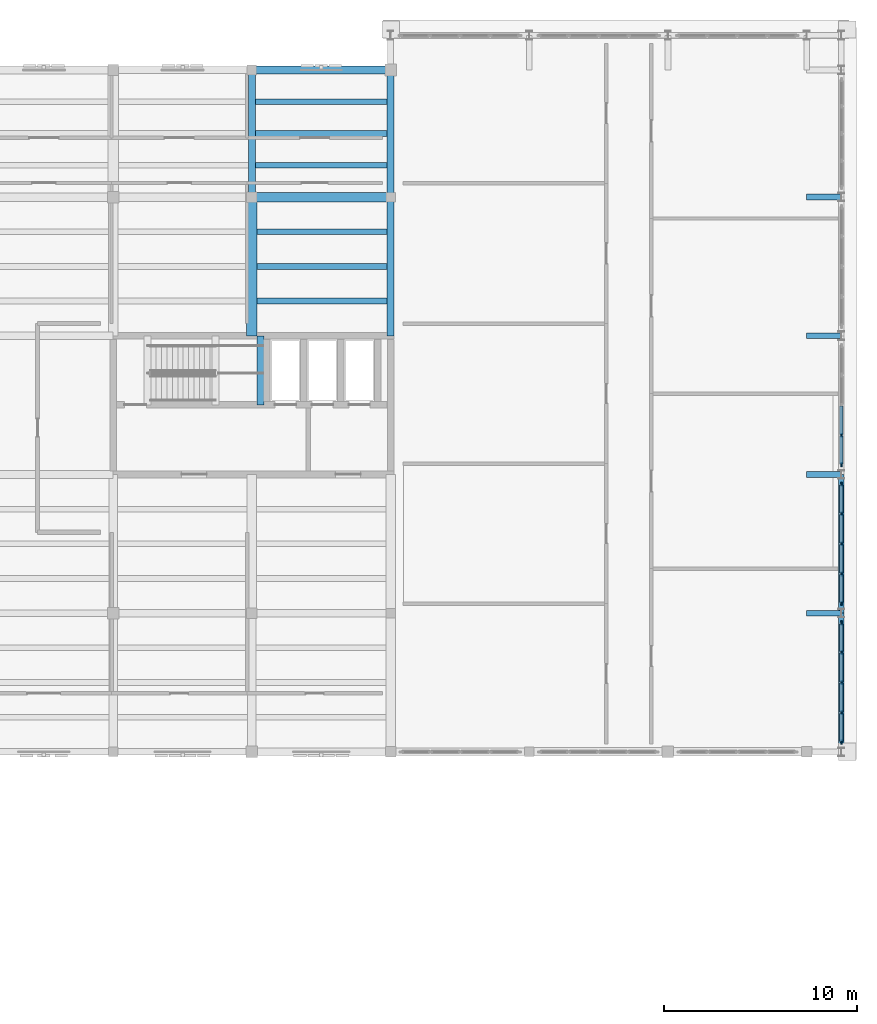
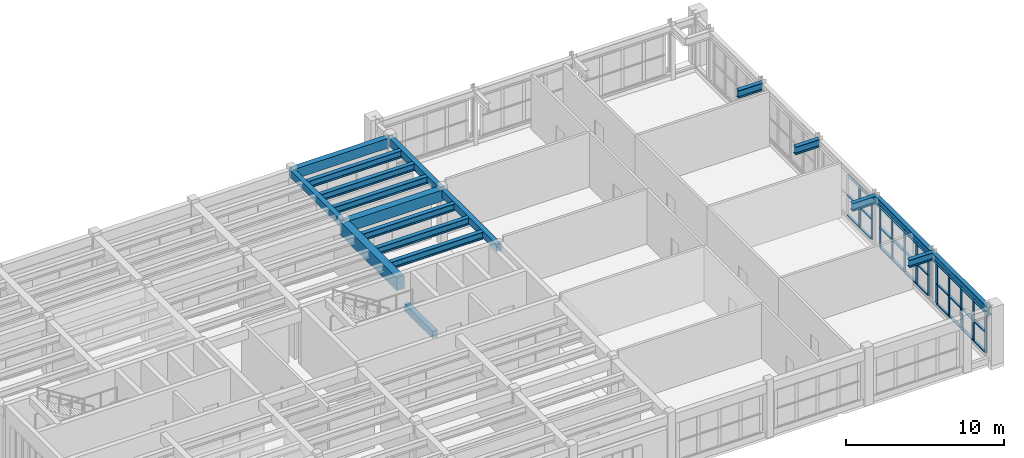
# One storey, part 5 of 18: 42 members, 19 beams, 3 elements without a shape of their own.
"""IFC4 building model written with IfcOpenShell, lengths in metres."""

from ifc_helpers import new_model, si_unit, direction, frame, origin, origin_2d, place, context, subcontext, project, spatial, rectangle, i_section, extrude, material, material_profile, profile_set, type_object, element, aggregate, save


model = new_model("IFC4")

# Units and contexts
model_context = context("Model", 3, precision=1e-05, world=origin(), true_north=direction((0.0, 1.0)))
body_context = subcontext(model_context, "Body", "Model", "MODEL_VIEW")
ifc_project = project(units=[si_unit("LENGTHUNIT", "METRE"), si_unit("AREAUNIT", "SQUARE_METRE"), si_unit("VOLUMEUNIT", "CUBIC_METRE"), si_unit("PLANEANGLEUNIT", "RADIAN"), si_unit("MASSUNIT", "GRAM", prefix="KILO")], contexts=[model_context])

# Site, building, storey
site_placement = place(None, origin())
site = spatial("IfcSite", under=ifc_project, at=site_placement, CompositionType="ELEMENT")
building_placement = place(site_placement, origin())
building = spatial("IfcBuilding", under=site, at=building_placement, Name="Mithqara Police Headquarters", CompositionType="ELEMENT")
storey_placement = place(building_placement, frame((0.0, 0.0, 26.39990234375)))
storey = spatial("IfcBuildingStorey", under=building, at=storey_placement, Name="L06", CompositionType="ELEMENT", Elevation=26.39990234375)

# Beams
ifc_material_1 = material(Name="Steel S355JR", Category="steel")
ifc_material_profile_1 = material_profile(ifc_material_1, i_section(OverallWidth=0.300048828125, OverallDepth=0.550048828125, WebThickness=0.014892578125, FlangeThickness=0.029052734375, FilletRadius=0.027099609375, at=origin_2d()), Name="HEB 550")
ifc_profile_set_1 = profile_set([ifc_material_profile_1], Name="Steel S355JR")
beam_type_1 = type_object("IfcBeamType", Name="BEAM HEB550", PredefinedType="BEAM", material=ifc_profile_set_1)
for number, where, z_axis, x_axis, name in (
    (1, (137.675048828125, 102.0, 3.945068359375), (1.0, 0.0, 0.0), (0.0, 1.0, 0.0), "L06 Composite Steel Joist 20-21/Q.1"),
    (2, (137.675048828125, 103.800048828125, 3.945068359375), (1.0, 0.0, 0.0), (0.0, 1.0, 0.0), "L06 Composite Steel Joist 20-21/Q.2"),
    (3, (137.675048828125, 105.60009765625, 3.945068359375), (1.0, 0.0, 0.0), (0.0, 1.0, 0.0), "L06 Composite Steel Joist 20-21/Q.3"),
):
    element("IfcBeam", number, at=place(storey_placement, frame(where, z_axis=z_axis, x_axis=x_axis)), inside=storey, type_object=beam_type_1, Name=name, PredefinedType="BEAM", context=body_context, shape_type="SweptSolid", body=[
        extrude(i_section(OverallWidth=0.300048828125, OverallDepth=0.550048828125, WebThickness=0.014892578125, FlangeThickness=0.029052734375, FilletRadius=0.027099609375, at=origin_2d()), origin(), (0.0, 0.0, 1.0), 6.75),
    ])
for number, where, z_axis, x_axis, name in (
    (4, (137.574951171875, 109.050048828125, 3.945068359375), (1.0, 0.0, 0.0), (0.0, 1.0, 0.0), "L06 Composite Steel Joist 20-21/R.1"),
    (5, (137.574951171875, 110.699951171875, 3.945068359375), (1.0, 0.0, 0.0), (0.0, 1.0, 0.0), "L06 Composite Steel Joist 20-21/R.2"),
    (6, (137.574951171875, 112.35009765625, 3.945068359375), (1.0, 0.0, 0.0), (0.0, 1.0, 0.0), "L06 Composite Steel Joist 20-21/R.3"),
):
    element("IfcBeam", number, at=place(storey_placement, frame(where, z_axis=z_axis, x_axis=x_axis)), inside=storey, type_object=beam_type_1, Name=name, PredefinedType="BEAM", context=body_context, shape_type="SweptSolid", body=[
        extrude(i_section(OverallWidth=0.300048828125, OverallDepth=0.550048828125, WebThickness=0.014892578125, FlangeThickness=0.029052734375, FilletRadius=0.027099609375, at=origin_2d()), origin(), (0.0, 0.0, 1.0), 6.85009765625),
    ])
ifc_material_2 = material(Name="Concrete C40/50", Category="concrete")
ifc_material_profile_2 = material_profile(ifc_material_2, rectangle(XDim=0.35009765625, YDim=0.550048828125, at=origin_2d()), Name="RC 350x550")
ifc_profile_set_2 = profile_set([ifc_material_profile_2], Name="Concrete C40/50")
beam_type_2 = type_object("IfcBeamType", Name="BEAM RC350X550", PredefinedType="BEAM", material=ifc_profile_set_2)
beam_1_placement = place(storey_placement, frame((137.39990234375, 107.39990234375, 3.945068359375), z_axis=(0.0, 1.0, 0.0), x_axis=(-1.0, 0.0, 0.0)))
element("IfcBeam", 7, at=beam_1_placement, inside=storey, type_object=beam_type_2, Name="L06 Girder 20/R-S", PredefinedType="BEAM", context=body_context, shape_type="SweptSolid", body=[
    extrude(rectangle(XDim=0.35009765625, YDim=0.550048828125, at=origin_2d()), origin(), (0.0, 0.0, 1.0), 6.60009765625),
])
beam_2_placement = place(storey_placement, frame((144.60009765625, 100.199951171875, 3.945068359375), z_axis=(0.0, 1.0, 0.0), x_axis=(-1.0, 0.0, 0.0)))
element("IfcBeam", 8, at=beam_2_placement, inside=storey, type_object=beam_type_2, Name="L06 Girder 21/Q-R", PredefinedType="BEAM", context=body_context, shape_type="SweptSolid", body=[
    extrude(rectangle(XDim=0.35009765625, YDim=0.550048828125, at=origin_2d()), origin(), (0.0, 0.0, 1.0), 7.199951171875),
])
beam_3_placement = place(storey_placement, frame((137.85009765625, 96.6201171875, 1.78515625), z_axis=(0.0, 1.0, 0.0), x_axis=(-1.0, 0.0, 0.0)))
element("IfcBeam", 9, at=beam_3_placement, inside=storey, type_object=beam_type_2, Name="L06 ST-02 Half-Landing Bearer LB", PredefinedType="BEAM", context=body_context, shape_type="SweptSolid", body=[
    extrude(rectangle(XDim=0.35009765625, YDim=0.550048828125, at=origin_2d()), origin(), (0.0, 0.0, 1.0), 3.579833984375),
])
ifc_material_profile_3 = material_profile(ifc_material_2, rectangle(XDim=0.35009765625, YDim=0.60009765625, at=origin_2d()), Name="RC 350x600")
ifc_profile_set_3 = profile_set([ifc_material_profile_3], Name="Concrete C40/50")
beam_type_3 = type_object("IfcBeamType", Name="BEAM RC350X600", PredefinedType="BEAM", material=ifc_profile_set_3)
beam_4_placement = place(storey_placement, frame((144.60009765625, 107.39990234375, 3.920166015625), z_axis=(0.0, 1.0, 0.0), x_axis=(-1.0, 0.0, 0.0)))
element("IfcBeam", 10, at=beam_4_placement, inside=storey, type_object=beam_type_3, Name="L06 Girder 21/R-S", PredefinedType="BEAM", context=body_context, shape_type="SweptSolid", body=[
    extrude(rectangle(XDim=0.35009765625, YDim=0.60009765625, at=origin_2d()), origin(), (0.0, 0.0, 1.0), 6.60009765625),
])
ifc_material_profile_4 = material_profile(ifc_material_2, rectangle(XDim=0.5, YDim=0.85009765625, at=origin_2d()), Name="RC 500x850")
ifc_profile_set_4 = profile_set([ifc_material_profile_4], Name="Concrete C40/50")
beam_type_4 = type_object("IfcBeamType", Name="BEAM RC500X850", PredefinedType="BEAM", material=ifc_profile_set_4)
beam_5_placement = place(storey_placement, frame((137.39990234375, 107.39990234375, 3.795166015625), z_axis=(1.0, 0.0, 0.0), x_axis=(0.0, 1.0, 0.0)))
element("IfcBeam", 11, at=beam_5_placement, inside=storey, type_object=beam_type_4, Name="L06 Girder 20-21/R", PredefinedType="BEAM", context=body_context, shape_type="SweptSolid", body=[
    extrude(rectangle(XDim=0.5, YDim=0.85009765625, at=origin_2d()), origin(), (0.0, 0.0, 1.0), 7.2001953125),
])
ifc_material_3 = material(Name="Concrete C50/60", Category="concrete")
ifc_material_profile_5 = material_profile(ifc_material_3, rectangle(XDim=0.550048828125, YDim=1.0, at=origin_2d()), Name="RC 550x1000")
ifc_profile_set_5 = profile_set([ifc_material_profile_5], Name="Concrete C50/60")
beam_type_5 = type_object("IfcBeamType", Name="BEAM RC550X1000", PredefinedType="BEAM", material=ifc_profile_set_5)
beam_6_placement = place(storey_placement, frame((137.39990234375, 100.199951171875, 3.72021484375), z_axis=(0.0, 1.0, 0.0), x_axis=(-1.0, 0.0, 0.0)))
element("IfcBeam", 12, at=beam_6_placement, inside=storey, type_object=beam_type_5, Name="L06 Girder 20/Q-R", PredefinedType="BEAM", context=body_context, shape_type="SweptSolid", body=[
    extrude(rectangle(XDim=0.550048828125, YDim=1.0, at=origin_2d()), origin(), (0.0, 0.0, 1.0), 7.199951171875),
])

# Curtain wall, members
ifc_material_4 = material(Name="Bronze anodised aluminium 6063-T6", Category="aluminium")
curtain_wall_type = type_object("IfcCurtainWallType", Name="CURTAIN WALL 6250X3170", PredefinedType="USERDEFINED", material=ifc_material_4)
curtain_wall_1_placement = place(storey_placement, origin())
curtain_wall_1 = element("IfcCurtainWall", 13, at=curtain_wall_1_placement, inside=storey, type_object=curtain_wall_type, Name="L06 Unitised Glazing CW-04 (CW-CUBE-L06-P0-E02-S0-00)", ObjectType="UNITISED GLAZING", PredefinedType="USERDEFINED")
ifc_material_profile_6 = material_profile(ifc_material_4, rectangle(XDim=0.074951171875, YDim=0.219970703125, at=origin_2d()), Name="CWM 75x220")
ifc_profile_set_6 = profile_set([ifc_material_profile_6], Name="Bronze anodised aluminium 6063-T6")
member_type_1 = type_object("IfcMemberType", Name="CWMULLION 75X220", PredefinedType="MULLION", material=ifc_profile_set_6)
member_1_placement = place(storey_placement, frame((168.0, 79.112548828125, 0.4501953125), z_axis=(0.0, 0.0, 1.0), x_axis=(-1.0, 0.0, 0.0)))
member_1 = element("IfcMember", 14, at=member_1_placement, type_object=member_type_1, Name="CW-04 mullion 1", PredefinedType="MULLION", context=body_context, shape_type="SweptSolid", body=[
    extrude(rectangle(XDim=0.074951171875, YDim=0.219970703125, at=origin_2d()), origin(), (0.0, 0.0, 1.0), 3.169921875),
])
member_2_placement = place(storey_placement, frame((168.0, 80.637451171875, 0.4501953125), z_axis=(0.0, 0.0, 1.0), x_axis=(-1.0, 0.0, 0.0)))
member_2 = element("IfcMember", 15, at=member_2_placement, type_object=member_type_1, Name="CW-04 mullion 2", PredefinedType="MULLION", context=body_context, shape_type="SweptSolid", body=[
    extrude(rectangle(XDim=0.074951171875, YDim=0.219970703125, at=origin_2d()), origin(), (0.0, 0.0, 1.0), 3.169921875),
])
member_3_placement = place(storey_placement, frame((168.0, 82.199951171875, 0.4501953125), z_axis=(0.0, 0.0, 1.0), x_axis=(-1.0, 0.0, 0.0)))
member_3 = element("IfcMember", 16, at=member_3_placement, type_object=member_type_1, Name="CW-04 mullion 3", PredefinedType="MULLION", context=body_context, shape_type="SweptSolid", body=[
    extrude(rectangle(XDim=0.074951171875, YDim=0.219970703125, at=origin_2d()), origin(), (0.0, 0.0, 1.0), 3.169921875),
])
member_4_placement = place(storey_placement, frame((168.0, 83.762451171875, 0.4501953125), z_axis=(0.0, 0.0, 1.0), x_axis=(-1.0, 0.0, 0.0)))
member_4 = element("IfcMember", 17, at=member_4_placement, type_object=member_type_1, Name="CW-04 mullion 4", PredefinedType="MULLION", context=body_context, shape_type="SweptSolid", body=[
    extrude(rectangle(XDim=0.074951171875, YDim=0.219970703125, at=origin_2d()), origin(), (0.0, 0.0, 1.0), 3.169921875),
])
member_5_placement = place(storey_placement, frame((168.0, 85.28759765625, 0.4501953125), z_axis=(0.0, 0.0, 1.0), x_axis=(-1.0, 0.0, 0.0)))
member_5 = element("IfcMember", 18, at=member_5_placement, type_object=member_type_1, Name="CW-04 mullion 5", PredefinedType="MULLION", context=body_context, shape_type="SweptSolid", body=[
    extrude(rectangle(XDim=0.074951171875, YDim=0.219970703125, at=origin_2d()), origin(), (0.0, 0.0, 1.0), 3.169921875),
])

curtain_wall_2_placement = place(storey_placement, origin())
curtain_wall_2 = element("IfcCurtainWall", 19, at=curtain_wall_2_placement, inside=storey, type_object=curtain_wall_type, Name="L06 Unitised Glazing CW-04 (CW-CUBE-L06-P0-E02-S0-01)", ObjectType="UNITISED GLAZING", PredefinedType="USERDEFINED")
member_6_placement = place(storey_placement, frame((168.0, 86.3125, 0.4501953125), z_axis=(0.0, 0.0, 1.0), x_axis=(-1.0, 0.0, 0.0)))
member_6 = element("IfcMember", 20, at=member_6_placement, type_object=member_type_1, Name="CW-04 mullion 1", PredefinedType="MULLION", context=body_context, shape_type="SweptSolid", body=[
    extrude(rectangle(XDim=0.074951171875, YDim=0.219970703125, at=origin_2d()), origin(), (0.0, 0.0, 1.0), 3.169921875),
])
member_7_placement = place(storey_placement, frame((168.0, 87.83740234375, 0.4501953125), z_axis=(0.0, 0.0, 1.0), x_axis=(-1.0, 0.0, 0.0)))
member_7 = element("IfcMember", 21, at=member_7_placement, type_object=member_type_1, Name="CW-04 mullion 2", PredefinedType="MULLION", context=body_context, shape_type="SweptSolid", body=[
    extrude(rectangle(XDim=0.074951171875, YDim=0.219970703125, at=origin_2d()), origin(), (0.0, 0.0, 1.0), 3.169921875),
])
member_8_placement = place(storey_placement, frame((168.0, 89.39990234375, 0.4501953125), z_axis=(0.0, 0.0, 1.0), x_axis=(-1.0, 0.0, 0.0)))
member_8 = element("IfcMember", 22, at=member_8_placement, type_object=member_type_1, Name="CW-04 mullion 3", PredefinedType="MULLION", context=body_context, shape_type="SweptSolid", body=[
    extrude(rectangle(XDim=0.074951171875, YDim=0.219970703125, at=origin_2d()), origin(), (0.0, 0.0, 1.0), 3.169921875),
])
member_9_placement = place(storey_placement, frame((168.0, 90.96240234375, 0.4501953125), z_axis=(0.0, 0.0, 1.0), x_axis=(-1.0, 0.0, 0.0)))
member_9 = element("IfcMember", 23, at=member_9_placement, type_object=member_type_1, Name="CW-04 mullion 4", PredefinedType="MULLION", context=body_context, shape_type="SweptSolid", body=[
    extrude(rectangle(XDim=0.074951171875, YDim=0.219970703125, at=origin_2d()), origin(), (0.0, 0.0, 1.0), 3.169921875),
])
member_10_placement = place(storey_placement, frame((168.0, 92.487548828125, 0.4501953125), z_axis=(0.0, 0.0, 1.0), x_axis=(-1.0, 0.0, 0.0)))
member_10 = element("IfcMember", 24, at=member_10_placement, type_object=member_type_1, Name="CW-04 mullion 5", PredefinedType="MULLION", context=body_context, shape_type="SweptSolid", body=[
    extrude(rectangle(XDim=0.074951171875, YDim=0.219970703125, at=origin_2d()), origin(), (0.0, 0.0, 1.0), 3.169921875),
])

curtain_wall_3_placement = place(storey_placement, origin())
curtain_wall_3 = element("IfcCurtainWall", 25, at=curtain_wall_3_placement, inside=storey, type_object=curtain_wall_type, Name="L06 Unitised Glazing CW-04 (CW-CUBE-L06-P0-E02-S0-02)", ObjectType="UNITISED GLAZING", PredefinedType="USERDEFINED")
member_11_placement = place(storey_placement, frame((168.0, 93.512451171875, 0.4501953125), z_axis=(0.0, 0.0, 1.0), x_axis=(-1.0, 0.0, 0.0)))
member_11 = element("IfcMember", 26, at=member_11_placement, type_object=member_type_1, Name="CW-04 mullion 1", PredefinedType="MULLION", context=body_context, shape_type="SweptSolid", body=[
    extrude(rectangle(XDim=0.074951171875, YDim=0.219970703125, at=origin_2d()), origin(), (0.0, 0.0, 1.0), 3.169921875),
])
member_12_placement = place(storey_placement, frame((168.0, 95.03759765625, 0.4501953125), z_axis=(0.0, 0.0, 1.0), x_axis=(-1.0, 0.0, 0.0)))
member_12 = element("IfcMember", 27, at=member_12_placement, type_object=member_type_1, Name="CW-04 mullion 2", PredefinedType="MULLION", context=body_context, shape_type="SweptSolid", body=[
    extrude(rectangle(XDim=0.074951171875, YDim=0.219970703125, at=origin_2d()), origin(), (0.0, 0.0, 1.0), 3.169921875),
])

# Member
ifc_material_profile_7 = material_profile(ifc_material_4, rectangle(XDim=0.179931640625, YDim=0.074951171875, at=origin_2d()), Name="CWT 180x75")
ifc_profile_set_7 = profile_set([ifc_material_profile_7], Name="Bronze anodised aluminium 6063-T6")
member_type_2 = type_object("IfcMemberType", Name="CWTRANSOM 180X75", PredefinedType="USERDEFINED", material=ifc_profile_set_7)
member_13_placement = place(storey_placement, frame((168.0, 79.14990234375, 0.487548828125), z_axis=(0.0, 1.0, 0.0), x_axis=(-1.0, 0.0, 0.0)))
member_13 = element("IfcMember", 28, at=member_13_placement, type_object=member_type_2, Name="CW-04 transom 1.1", ObjectType="TRANSOM", PredefinedType="USERDEFINED", context=body_context, shape_type="SweptSolid", body=[
    extrude(rectangle(XDim=0.179931640625, YDim=0.074951171875, at=origin_2d()), origin(), (0.0, 0.0, 1.0), 1.4501953125),
])

member_14_placement = place(storey_placement, frame((168.0, 79.14990234375, 2.03515625), z_axis=(0.0, 1.0, 0.0), x_axis=(-1.0, 0.0, 0.0)))
member_14 = element("IfcMember", 29, at=member_14_placement, type_object=member_type_2, Name="CW-04 transom 1.2", ObjectType="TRANSOM", PredefinedType="USERDEFINED", context=body_context, shape_type="SweptSolid", body=[
    extrude(rectangle(XDim=0.179931640625, YDim=0.074951171875, at=origin_2d()), origin(), (0.0, 0.0, 1.0), 1.4501953125),
])

member_15_placement = place(storey_placement, frame((168.0, 79.14990234375, 3.58251953125), z_axis=(0.0, 1.0, 0.0), x_axis=(-1.0, 0.0, 0.0)))
member_15 = element("IfcMember", 30, at=member_15_placement, type_object=member_type_2, Name="CW-04 transom 1.3", ObjectType="TRANSOM", PredefinedType="USERDEFINED", context=body_context, shape_type="SweptSolid", body=[
    extrude(rectangle(XDim=0.179931640625, YDim=0.074951171875, at=origin_2d()), origin(), (0.0, 0.0, 1.0), 1.4501953125),
])

member_16_placement = place(storey_placement, frame((168.0, 80.675048828125, 0.487548828125), z_axis=(0.0, 1.0, 0.0), x_axis=(-1.0, 0.0, 0.0)))
member_16 = element("IfcMember", 31, at=member_16_placement, type_object=member_type_2, Name="CW-04 transom 2.1", ObjectType="TRANSOM", PredefinedType="USERDEFINED", context=body_context, shape_type="SweptSolid", body=[
    extrude(rectangle(XDim=0.179931640625, YDim=0.074951171875, at=origin_2d()), origin(), (0.0, 0.0, 1.0), 1.487548828125),
])

member_17_placement = place(storey_placement, frame((168.0, 80.675048828125, 2.03515625), z_axis=(0.0, 1.0, 0.0), x_axis=(-1.0, 0.0, 0.0)))
member_17 = element("IfcMember", 32, at=member_17_placement, type_object=member_type_2, Name="CW-04 transom 2.2", ObjectType="TRANSOM", PredefinedType="USERDEFINED", context=body_context, shape_type="SweptSolid", body=[
    extrude(rectangle(XDim=0.179931640625, YDim=0.074951171875, at=origin_2d()), origin(), (0.0, 0.0, 1.0), 1.487548828125),
])

member_18_placement = place(storey_placement, frame((168.0, 80.675048828125, 3.58251953125), z_axis=(0.0, 1.0, 0.0), x_axis=(-1.0, 0.0, 0.0)))
member_18 = element("IfcMember", 33, at=member_18_placement, type_object=member_type_2, Name="CW-04 transom 2.3", ObjectType="TRANSOM", PredefinedType="USERDEFINED", context=body_context, shape_type="SweptSolid", body=[
    extrude(rectangle(XDim=0.179931640625, YDim=0.074951171875, at=origin_2d()), origin(), (0.0, 0.0, 1.0), 1.487548828125),
])

member_19_placement = place(storey_placement, frame((168.0, 82.237548828125, 0.487548828125), z_axis=(0.0, 1.0, 0.0), x_axis=(-1.0, 0.0, 0.0)))
member_19 = element("IfcMember", 34, at=member_19_placement, type_object=member_type_2, Name="CW-04 transom 3.1", ObjectType="TRANSOM", PredefinedType="USERDEFINED", context=body_context, shape_type="SweptSolid", body=[
    extrude(rectangle(XDim=0.179931640625, YDim=0.074951171875, at=origin_2d()), origin(), (0.0, 0.0, 1.0), 1.487548828125),
])

member_20_placement = place(storey_placement, frame((168.0, 82.237548828125, 2.03515625), z_axis=(0.0, 1.0, 0.0), x_axis=(-1.0, 0.0, 0.0)))
member_20 = element("IfcMember", 35, at=member_20_placement, type_object=member_type_2, Name="CW-04 transom 3.2", ObjectType="TRANSOM", PredefinedType="USERDEFINED", context=body_context, shape_type="SweptSolid", body=[
    extrude(rectangle(XDim=0.179931640625, YDim=0.074951171875, at=origin_2d()), origin(), (0.0, 0.0, 1.0), 1.487548828125),
])

member_21_placement = place(storey_placement, frame((168.0, 82.237548828125, 3.58251953125), z_axis=(0.0, 1.0, 0.0), x_axis=(-1.0, 0.0, 0.0)))
member_21 = element("IfcMember", 36, at=member_21_placement, type_object=member_type_2, Name="CW-04 transom 3.3", ObjectType="TRANSOM", PredefinedType="USERDEFINED", context=body_context, shape_type="SweptSolid", body=[
    extrude(rectangle(XDim=0.179931640625, YDim=0.074951171875, at=origin_2d()), origin(), (0.0, 0.0, 1.0), 1.487548828125),
])

member_22_placement = place(storey_placement, frame((168.0, 83.800048828125, 0.487548828125), z_axis=(0.0, 1.0, 0.0), x_axis=(-1.0, 0.0, 0.0)))
member_22 = element("IfcMember", 37, at=member_22_placement, type_object=member_type_2, Name="CW-04 transom 4.1", ObjectType="TRANSOM", PredefinedType="USERDEFINED", context=body_context, shape_type="SweptSolid", body=[
    extrude(rectangle(XDim=0.179931640625, YDim=0.074951171875, at=origin_2d()), origin(), (0.0, 0.0, 1.0), 1.449951171875),
])

member_23_placement = place(storey_placement, frame((168.0, 83.800048828125, 2.03515625), z_axis=(0.0, 1.0, 0.0), x_axis=(-1.0, 0.0, 0.0)))
member_23 = element("IfcMember", 38, at=member_23_placement, type_object=member_type_2, Name="CW-04 transom 4.2", ObjectType="TRANSOM", PredefinedType="USERDEFINED", context=body_context, shape_type="SweptSolid", body=[
    extrude(rectangle(XDim=0.179931640625, YDim=0.074951171875, at=origin_2d()), origin(), (0.0, 0.0, 1.0), 1.449951171875),
])

member_24_placement = place(storey_placement, frame((168.0, 83.800048828125, 3.58251953125), z_axis=(0.0, 1.0, 0.0), x_axis=(-1.0, 0.0, 0.0)))
member_24 = element("IfcMember", 39, at=member_24_placement, type_object=member_type_2, Name="CW-04 transom 4.3", ObjectType="TRANSOM", PredefinedType="USERDEFINED", context=body_context, shape_type="SweptSolid", body=[
    extrude(rectangle(XDim=0.179931640625, YDim=0.074951171875, at=origin_2d()), origin(), (0.0, 0.0, 1.0), 1.449951171875),
])

aggregate(curtain_wall_1, [member_1, member_2, member_3, member_4, member_5, member_13, member_14, member_15, member_16, member_17, member_18, member_19, member_20, member_21, member_22, member_23, member_24])

member_25_placement = place(storey_placement, frame((168.0, 86.35009765625, 0.487548828125), z_axis=(0.0, 1.0, 0.0), x_axis=(-1.0, 0.0, 0.0)))
member_25 = element("IfcMember", 40, at=member_25_placement, type_object=member_type_2, Name="CW-04 transom 1.1", ObjectType="TRANSOM", PredefinedType="USERDEFINED", context=body_context, shape_type="SweptSolid", body=[
    extrude(rectangle(XDim=0.179931640625, YDim=0.074951171875, at=origin_2d()), origin(), (0.0, 0.0, 1.0), 1.449951171875),
])

member_26_placement = place(storey_placement, frame((168.0, 86.35009765625, 2.03515625), z_axis=(0.0, 1.0, 0.0), x_axis=(-1.0, 0.0, 0.0)))
member_26 = element("IfcMember", 41, at=member_26_placement, type_object=member_type_2, Name="CW-04 transom 1.2", ObjectType="TRANSOM", PredefinedType="USERDEFINED", context=body_context, shape_type="SweptSolid", body=[
    extrude(rectangle(XDim=0.179931640625, YDim=0.074951171875, at=origin_2d()), origin(), (0.0, 0.0, 1.0), 1.449951171875),
])

member_27_placement = place(storey_placement, frame((168.0, 86.35009765625, 3.58251953125), z_axis=(0.0, 1.0, 0.0), x_axis=(-1.0, 0.0, 0.0)))
member_27 = element("IfcMember", 42, at=member_27_placement, type_object=member_type_2, Name="CW-04 transom 1.3", ObjectType="TRANSOM", PredefinedType="USERDEFINED", context=body_context, shape_type="SweptSolid", body=[
    extrude(rectangle(XDim=0.179931640625, YDim=0.074951171875, at=origin_2d()), origin(), (0.0, 0.0, 1.0), 1.449951171875),
])

member_28_placement = place(storey_placement, frame((168.0, 87.875, 0.487548828125), z_axis=(0.0, 1.0, 0.0), x_axis=(-1.0, 0.0, 0.0)))
member_28 = element("IfcMember", 43, at=member_28_placement, type_object=member_type_2, Name="CW-04 transom 2.1", ObjectType="TRANSOM", PredefinedType="USERDEFINED", context=body_context, shape_type="SweptSolid", body=[
    extrude(rectangle(XDim=0.179931640625, YDim=0.074951171875, at=origin_2d()), origin(), (0.0, 0.0, 1.0), 1.487548828125),
])

member_29_placement = place(storey_placement, frame((168.0, 87.875, 2.03515625), z_axis=(0.0, 1.0, 0.0), x_axis=(-1.0, 0.0, 0.0)))
member_29 = element("IfcMember", 44, at=member_29_placement, type_object=member_type_2, Name="CW-04 transom 2.2", ObjectType="TRANSOM", PredefinedType="USERDEFINED", context=body_context, shape_type="SweptSolid", body=[
    extrude(rectangle(XDim=0.179931640625, YDim=0.074951171875, at=origin_2d()), origin(), (0.0, 0.0, 1.0), 1.487548828125),
])

member_30_placement = place(storey_placement, frame((168.0, 87.875, 3.58251953125), z_axis=(0.0, 1.0, 0.0), x_axis=(-1.0, 0.0, 0.0)))
member_30 = element("IfcMember", 45, at=member_30_placement, type_object=member_type_2, Name="CW-04 transom 2.3", ObjectType="TRANSOM", PredefinedType="USERDEFINED", context=body_context, shape_type="SweptSolid", body=[
    extrude(rectangle(XDim=0.179931640625, YDim=0.074951171875, at=origin_2d()), origin(), (0.0, 0.0, 1.0), 1.487548828125),
])

member_31_placement = place(storey_placement, frame((168.0, 89.4375, 0.487548828125), z_axis=(0.0, 1.0, 0.0), x_axis=(-1.0, 0.0, 0.0)))
member_31 = element("IfcMember", 46, at=member_31_placement, type_object=member_type_2, Name="CW-04 transom 3.1", ObjectType="TRANSOM", PredefinedType="USERDEFINED", context=body_context, shape_type="SweptSolid", body=[
    extrude(rectangle(XDim=0.179931640625, YDim=0.074951171875, at=origin_2d()), origin(), (0.0, 0.0, 1.0), 1.487548828125),
])

member_32_placement = place(storey_placement, frame((168.0, 89.4375, 2.03515625), z_axis=(0.0, 1.0, 0.0), x_axis=(-1.0, 0.0, 0.0)))
member_32 = element("IfcMember", 47, at=member_32_placement, type_object=member_type_2, Name="CW-04 transom 3.2", ObjectType="TRANSOM", PredefinedType="USERDEFINED", context=body_context, shape_type="SweptSolid", body=[
    extrude(rectangle(XDim=0.179931640625, YDim=0.074951171875, at=origin_2d()), origin(), (0.0, 0.0, 1.0), 1.487548828125),
])

member_33_placement = place(storey_placement, frame((168.0, 89.4375, 3.58251953125), z_axis=(0.0, 1.0, 0.0), x_axis=(-1.0, 0.0, 0.0)))
member_33 = element("IfcMember", 48, at=member_33_placement, type_object=member_type_2, Name="CW-04 transom 3.3", ObjectType="TRANSOM", PredefinedType="USERDEFINED", context=body_context, shape_type="SweptSolid", body=[
    extrude(rectangle(XDim=0.179931640625, YDim=0.074951171875, at=origin_2d()), origin(), (0.0, 0.0, 1.0), 1.487548828125),
])

member_34_placement = place(storey_placement, frame((168.0, 91.0, 0.487548828125), z_axis=(0.0, 1.0, 0.0), x_axis=(-1.0, 0.0, 0.0)))
member_34 = element("IfcMember", 49, at=member_34_placement, type_object=member_type_2, Name="CW-04 transom 4.1", ObjectType="TRANSOM", PredefinedType="USERDEFINED", context=body_context, shape_type="SweptSolid", body=[
    extrude(rectangle(XDim=0.179931640625, YDim=0.074951171875, at=origin_2d()), origin(), (0.0, 0.0, 1.0), 1.449951171875),
])

member_35_placement = place(storey_placement, frame((168.0, 91.0, 2.03515625), z_axis=(0.0, 1.0, 0.0), x_axis=(-1.0, 0.0, 0.0)))
member_35 = element("IfcMember", 50, at=member_35_placement, type_object=member_type_2, Name="CW-04 transom 4.2", ObjectType="TRANSOM", PredefinedType="USERDEFINED", context=body_context, shape_type="SweptSolid", body=[
    extrude(rectangle(XDim=0.179931640625, YDim=0.074951171875, at=origin_2d()), origin(), (0.0, 0.0, 1.0), 1.449951171875),
])

member_36_placement = place(storey_placement, frame((168.0, 91.0, 3.58251953125), z_axis=(0.0, 1.0, 0.0), x_axis=(-1.0, 0.0, 0.0)))
member_36 = element("IfcMember", 51, at=member_36_placement, type_object=member_type_2, Name="CW-04 transom 4.3", ObjectType="TRANSOM", PredefinedType="USERDEFINED", context=body_context, shape_type="SweptSolid", body=[
    extrude(rectangle(XDim=0.179931640625, YDim=0.074951171875, at=origin_2d()), origin(), (0.0, 0.0, 1.0), 1.449951171875),
])

aggregate(curtain_wall_2, [member_6, member_7, member_8, member_9, member_10, member_25, member_26, member_27, member_28, member_29, member_30, member_31, member_32, member_33, member_34, member_35, member_36])

member_37_placement = place(storey_placement, frame((168.0, 93.550048828125, 0.487548828125), z_axis=(0.0, 1.0, 0.0), x_axis=(-1.0, 0.0, 0.0)))
member_37 = element("IfcMember", 52, at=member_37_placement, type_object=member_type_2, Name="CW-04 transom 1.1", ObjectType="TRANSOM", PredefinedType="USERDEFINED", context=body_context, shape_type="SweptSolid", body=[
    extrude(rectangle(XDim=0.179931640625, YDim=0.074951171875, at=origin_2d()), origin(), (0.0, 0.0, 1.0), 1.449951171875),
])

member_38_placement = place(storey_placement, frame((168.0, 93.550048828125, 2.03515625), z_axis=(0.0, 1.0, 0.0), x_axis=(-1.0, 0.0, 0.0)))
member_38 = element("IfcMember", 53, at=member_38_placement, type_object=member_type_2, Name="CW-04 transom 1.2", ObjectType="TRANSOM", PredefinedType="USERDEFINED", context=body_context, shape_type="SweptSolid", body=[
    extrude(rectangle(XDim=0.179931640625, YDim=0.074951171875, at=origin_2d()), origin(), (0.0, 0.0, 1.0), 1.449951171875),
])

member_39_placement = place(storey_placement, frame((168.0, 93.550048828125, 3.58251953125), z_axis=(0.0, 1.0, 0.0), x_axis=(-1.0, 0.0, 0.0)))
member_39 = element("IfcMember", 54, at=member_39_placement, type_object=member_type_2, Name="CW-04 transom 1.3", ObjectType="TRANSOM", PredefinedType="USERDEFINED", context=body_context, shape_type="SweptSolid", body=[
    extrude(rectangle(XDim=0.179931640625, YDim=0.074951171875, at=origin_2d()), origin(), (0.0, 0.0, 1.0), 1.449951171875),
])

member_40_placement = place(storey_placement, frame((168.0, 95.074951171875, 0.487548828125), z_axis=(0.0, 1.0, 0.0), x_axis=(-1.0, 0.0, 0.0)))
member_40 = element("IfcMember", 55, at=member_40_placement, type_object=member_type_2, Name="CW-04 transom 2.1", ObjectType="TRANSOM", PredefinedType="USERDEFINED", context=body_context, shape_type="SweptSolid", body=[
    extrude(rectangle(XDim=0.179931640625, YDim=0.074951171875, at=origin_2d()), origin(), (0.0, 0.0, 1.0), 1.487548828125),
])

member_41_placement = place(storey_placement, frame((168.0, 95.074951171875, 2.03515625), z_axis=(0.0, 1.0, 0.0), x_axis=(-1.0, 0.0, 0.0)))
member_41 = element("IfcMember", 56, at=member_41_placement, type_object=member_type_2, Name="CW-04 transom 2.2", ObjectType="TRANSOM", PredefinedType="USERDEFINED", context=body_context, shape_type="SweptSolid", body=[
    extrude(rectangle(XDim=0.179931640625, YDim=0.074951171875, at=origin_2d()), origin(), (0.0, 0.0, 1.0), 1.487548828125),
])

member_42_placement = place(storey_placement, frame((168.0, 95.074951171875, 3.58251953125), z_axis=(0.0, 1.0, 0.0), x_axis=(-1.0, 0.0, 0.0)))
member_42 = element("IfcMember", 57, at=member_42_placement, type_object=member_type_2, Name="CW-04 transom 2.3", ObjectType="TRANSOM", PredefinedType="USERDEFINED", context=body_context, shape_type="SweptSolid", body=[
    extrude(rectangle(XDim=0.179931640625, YDim=0.074951171875, at=origin_2d()), origin(), (0.0, 0.0, 1.0), 1.487548828125),
])

aggregate(curtain_wall_3, [member_11, member_12, member_37, member_38, member_39, member_40, member_41, member_42])

# Beams
ifc_material_profile_8 = material_profile(ifc_material_2, rectangle(XDim=0.39990234375, YDim=0.75, at=origin_2d()), Name="SPB 400x750")
ifc_profile_set_8 = profile_set([ifc_material_profile_8], Name="Concrete C40/50")
beam_type_6 = type_object("IfcBeamType", Name="SPANDREL 400X750", PredefinedType="SPANDREL", material=ifc_profile_set_8)
beam_7_placement = place(storey_placement, frame((137.39990234375, 114.0, 3.84521484375), z_axis=(1.0, 0.0, 0.0), x_axis=(0.0, 1.0, 0.0)))
element("IfcBeam", 58, at=beam_7_placement, inside=storey, type_object=beam_type_6, Name="L06 Girder 20-21/S", PredefinedType="SPANDREL", context=body_context, shape_type="SweptSolid", body=[
    extrude(rectangle(XDim=0.39990234375, YDim=0.75, at=origin_2d()), origin(), (0.0, 0.0, 1.0), 7.2001953125),
])
ifc_material_profile_9 = material_profile(ifc_material_1, i_section(OverallWidth=0.300048828125, OverallDepth=0.60009765625, WebThickness=0.015380859375, FlangeThickness=0.030029296875, FilletRadius=0.027099609375, at=origin_2d()), Name="HEB 600")
ifc_profile_set_9 = profile_set([ifc_material_profile_9], Name="Steel S355JR")
beam_type_7 = type_object("IfcBeamType", Name="TRANSFER HEB600", PredefinedType="BEAM", material=ifc_profile_set_9)
for number, where, z_axis, x_axis, name in (
    (59, (166.199951171875, 85.800048828125, 3.920166015625), (1.0, 0.0, 0.0), (0.0, 1.0, 0.0), "L06 Command Cube Cantilever Transfer Girder Y-N"),
    (60, (166.199951171875, 93.0, 3.920166015625), (1.0, 0.0, 0.0), (0.0, 1.0, 0.0), "L06 Command Cube Cantilever Transfer Girder Y-P"),
    (61, (166.199951171875, 100.199951171875, 3.920166015625), (1.0, 0.0, 0.0), (0.0, 1.0, 0.0), "L06 Command Cube Cantilever Transfer Girder Y-Q"),
    (62, (166.199951171875, 107.39990234375, 3.920166015625), (1.0, 0.0, 0.0), (0.0, 1.0, 0.0), "L06 Command Cube Cantilever Transfer Girder Y-R"),
):
    element("IfcBeam", number, at=place(storey_placement, frame(where, z_axis=z_axis, x_axis=x_axis)), inside=storey, type_object=beam_type_7, Name=name, PredefinedType="BEAM", context=body_context, shape_type="SweptSolid", body=[
        extrude(i_section(OverallWidth=0.300048828125, OverallDepth=0.60009765625, WebThickness=0.015380859375, FlangeThickness=0.030029296875, FilletRadius=0.027099609375, at=origin_2d()), origin(), (0.0, 0.0, 1.0), 1.800048828125),
    ])
for number, where, z_axis, x_axis, name in (
    (63, (168.0, 78.60009765625, 3.920166015625), (0.0, 1.0, 0.0), (-1.0, 0.0, 0.0), "L06 Command Cube East Ring Beam 1"),
    (64, (168.0, 85.800048828125, 3.920166015625), (0.0, 1.0, 0.0), (-1.0, 0.0, 0.0), "L06 Command Cube East Ring Beam 2"),
):
    element("IfcBeam", number, at=place(storey_placement, frame(where, z_axis=z_axis, x_axis=x_axis)), inside=storey, type_object=beam_type_7, Name=name, PredefinedType="BEAM", context=body_context, shape_type="SweptSolid", body=[
        extrude(i_section(OverallWidth=0.300048828125, OverallDepth=0.60009765625, WebThickness=0.015380859375, FlangeThickness=0.030029296875, FilletRadius=0.027099609375, at=origin_2d()), origin(), (0.0, 0.0, 1.0), 7.199951171875),
    ])

save(model, "model.ifc")
